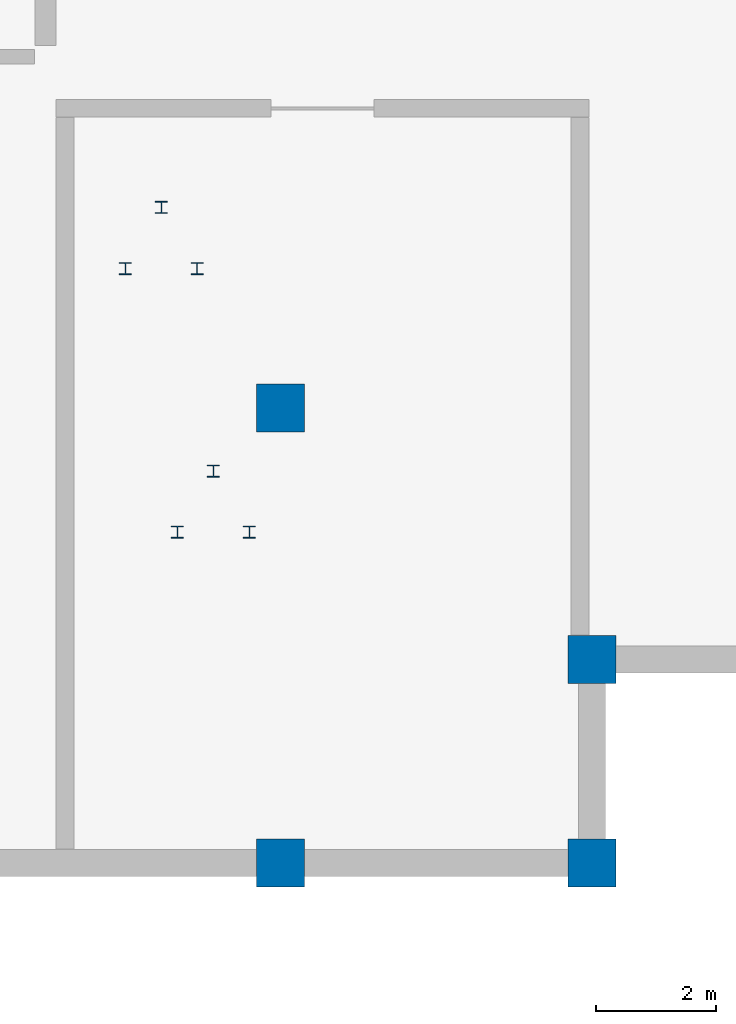
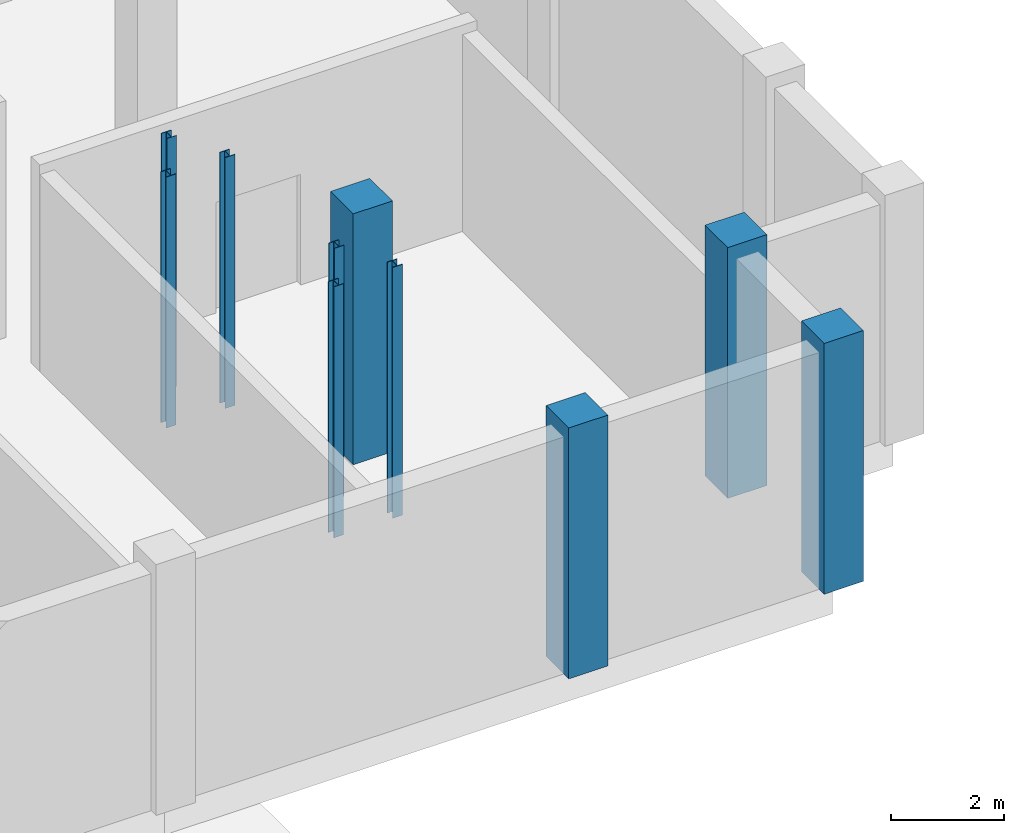
# One storey, part 2 of 20: 10 columns.
"""IFC4 building model written with IfcOpenShell, lengths in metres."""

from ifc_helpers import new_model, si_unit, direction, frame, origin, origin_2d, place, context, subcontext, project, spatial, rectangle, i_section, extrude, material, material_profile, profile_set, type_object, element, save


model = new_model("IFC4")

# Units and contexts
model_context = context("Model", 3, precision=1e-05, world=origin(), true_north=direction((0.0, 1.0)))
body_context = subcontext(model_context, "Body", "Model", "MODEL_VIEW")
ifc_project = project(units=[si_unit("LENGTHUNIT", "METRE"), si_unit("AREAUNIT", "SQUARE_METRE"), si_unit("VOLUMEUNIT", "CUBIC_METRE"), si_unit("PLANEANGLEUNIT", "RADIAN"), si_unit("MASSUNIT", "GRAM", prefix="KILO")], contexts=[model_context])

# Site, building, storey
site_placement = place(None, origin())
site = spatial("IfcSite", under=ifc_project, at=site_placement, CompositionType="ELEMENT")
building_placement = place(site_placement, origin())
building = spatial("IfcBuilding", under=site, at=building_placement, Name="Shengluoqiao Park Theatre", CompositionType="ELEMENT")
storey_placement = place(building_placement, frame((0.0, 0.0, -5.39990234375)))
storey = spatial("IfcBuildingStorey", under=building, at=storey_placement, Name="B1", CompositionType="ELEMENT", Elevation=-5.39990234375)

# Columns
ifc_material_1 = material(Name="Steel Q355", Category="steel")
ifc_material_profile_1 = material_profile(ifc_material_1, i_section(OverallWidth=0.199951171875, OverallDepth=0.199951171875, WebThickness=0.008056640625, FlangeThickness=0.011962890625, FilletRadius=0.012939453125, at=origin_2d()), Name="HW 200x200x8x12")
ifc_profile_set_1 = profile_set([ifc_material_profile_1], Name="Steel Q355")
column_type_1 = type_object("IfcColumnType", Name="STR-COL-C-HW200", PredefinedType="COLUMN", material=ifc_profile_set_1)
for number, where, z_axis, x_axis, name in (
    (1, (34.280029296875, 5.52490234375, 0.0), (0.0, 0.0, 1.0), (1.0, 0.0, 0.0), "ST-08-L00 B1 Landing Column W"),
    (2, (35.47998046875, 5.52490234375, 0.0), (0.0, 0.0, 1.0), (1.0, 0.0, 0.0), "ST-08-L00 B1 Landing Column E"),
    (3, (34.8798828125, 6.544921875, 0.0), (0.0, 0.0, 1.0), (1.0, 0.0, 0.0), "ST-08-L00 B1 Landing Column N"),
    (4, (33.409912109375, 9.925048828125, 0.0), (0.0, 0.0, 1.0), (1.0, 0.0, 0.0), "ST-08-L01 B1 Stack Column W"),
    (5, (34.610107421875, 9.925048828125, 0.0), (0.0, 0.0, 1.0), (1.0, 0.0, 0.0), "ST-08-L01 B1 Stack Column E"),
    (6, (34.010009765625, 10.945068359375, 0.0), (0.0, 0.0, 1.0), (1.0, 0.0, 0.0), "ST-08-L01 B1 Stack Column N"),
):
    element("IfcColumn", number, at=place(storey_placement, frame(where, z_axis=z_axis, x_axis=x_axis)), inside=storey, type_object=column_type_1, Name=name, PredefinedType="COLUMN", context=body_context, shape_type="SweptSolid", body=[
        extrude(i_section(OverallWidth=0.199951171875, OverallDepth=0.199951171875, WebThickness=0.008056640625, FlangeThickness=0.011962890625, FilletRadius=0.012939453125, at=origin_2d()), origin(), (0.0, 0.0, 1.0), 5.39990234375),
    ])
ifc_material_2 = material(Name="Concrete C50", Category="concrete")
ifc_material_profile_2 = material_profile(ifc_material_2, rectangle(XDim=0.800048828125, YDim=0.800048828125, at=origin_2d()), Name="RC 800x800")
ifc_profile_set_2 = profile_set([ifc_material_profile_2], Name="Concrete C50")
column_type_2 = type_object("IfcColumnType", Name="STR-COL-C-RC800", PredefinedType="COLUMN", material=ifc_profile_set_2)
for number, where, z_axis, x_axis, name in (
    (7, (36.0, 0.0, 0.0), (0.0, 0.0, 1.0), (1.0, 0.0, 0.0), "B1 Column 0143"),
    (8, (36.0, 7.60009765625, 0.0), (0.0, 0.0, 1.0), (1.0, 0.0, 0.0), "B1 Column 0147"),
    (9, (41.199951171875, 0.0, 0.0), (0.0, 0.0, 1.0), (1.0, 0.0, 0.0), "B1 Corner Step Column 01"),
    (10, (41.199951171875, 3.39990234375, 0.0), (0.0, 0.0, 1.0), (1.0, 0.0, 0.0), "B1 Corner Step Column 02"),
):
    element("IfcColumn", number, at=place(storey_placement, frame(where, z_axis=z_axis, x_axis=x_axis)), inside=storey, type_object=column_type_2, Name=name, PredefinedType="COLUMN", context=body_context, shape_type="SweptSolid", body=[
        extrude(rectangle(XDim=0.800048828125, YDim=0.800048828125, at=origin_2d()), origin(), (0.0, 0.0, 1.0), 5.39990234375),
    ])

save(model, "model.ifc")
